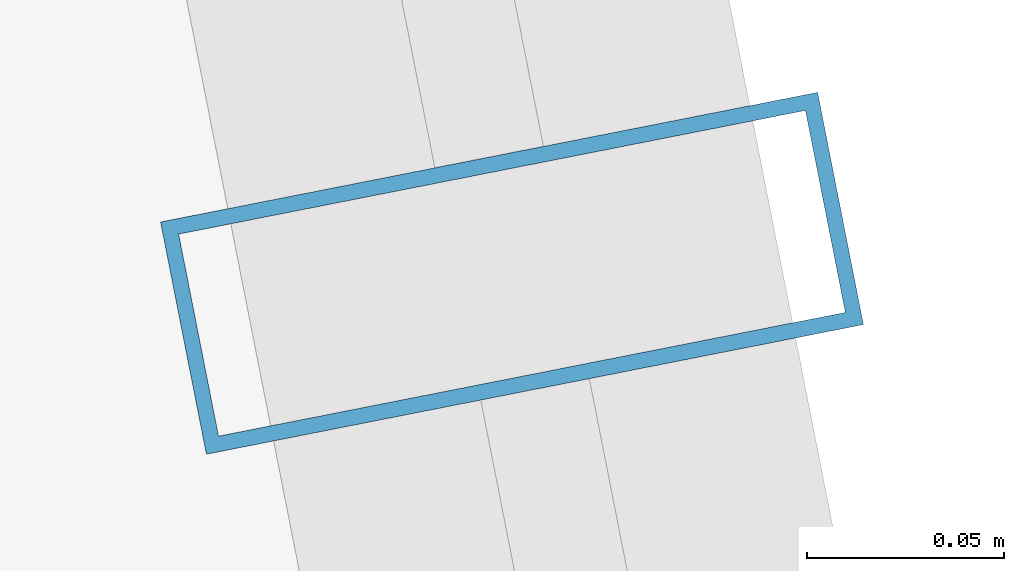
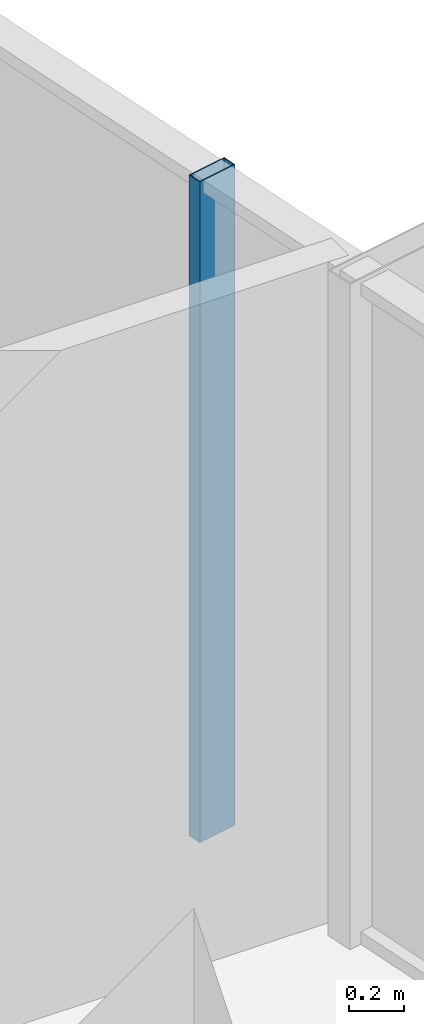
# One storey, part 20 of 36: 1 member, 1 element without a shape of its own.
"""IFC4 building model written with IfcOpenShell, lengths in metres."""

from ifc_helpers import new_model, si_unit, direction, frame, origin, origin_2d, place, context, subcontext, project, spatial, hollow_rectangle, extrude, source, transform, mapped, material, layer, layer_set, material_profile, profile_set, type_object, element, aggregate, save


model = new_model("IFC4")

# Units and contexts
model_context = context("Model", 3, precision=1e-05, world=origin(), true_north=direction((0.0, 1.0)))
body_context = subcontext(model_context, "Body", "Model", "MODEL_VIEW")
ifc_project = project(units=[si_unit("LENGTHUNIT", "METRE"), si_unit("AREAUNIT", "SQUARE_METRE"), si_unit("VOLUMEUNIT", "CUBIC_METRE"), si_unit("PLANEANGLEUNIT", "RADIAN"), si_unit("MASSUNIT", "GRAM", prefix="KILO")], contexts=[model_context])

# Site, building, storey
site_placement = place(None, origin())
site = spatial("IfcSite", under=ifc_project, at=site_placement, CompositionType="ELEMENT")
building_placement = place(site_placement, origin())
building = spatial("IfcBuilding", under=site, at=building_placement, Name="Veraguas Prism Commons", CompositionType="ELEMENT")
storey_placement = place(building_placement, frame((0.0, 0.0, 166.300048828125)))
storey = spatial("IfcBuildingStorey", under=building, at=storey_placement, Name="L47", CompositionType="ELEMENT", Elevation=166.300048828125)

# Curtain wall, member
ifc_material = material(Name="Anodised aluminium EN AW-6063 T6", Category="aluminium")
ifc_layer = layer(ifc_material, 0.169921875, Name="Unitised Flush Curtain Wall Zone 2", Category="aluminium")
ifc_layer_set = layer_set([ifc_layer], Name="Anodised aluminium EN AW-6063 T6")
curtain_wall_type = type_object("IfcCurtainWallType", Name="Unitised Flush Curtain Wall Zone 2", PredefinedType="NOTDEFINED", material=ifc_layer_set)
curtain_wall_placement = place(storey_placement, origin())
curtain_wall = element("IfcCurtainWall", 1, at=curtain_wall_placement, inside=storey, type_object=curtain_wall_type, Name="Tower Facade Curtain Wall L47-F6", PredefinedType="NOTDEFINED")
ifc_material_profile = material_profile(ifc_material, hollow_rectangle(XDim=0.06005859375, YDim=0.169921875, WallThickness=0.00390625, at=origin_2d()), Name="AL60X170X4")
ifc_profile_set = profile_set([ifc_material_profile], Name="Anodised aluminium EN AW-6063 T6")
member_type = type_object("IfcMemberType", Name="Curtain Wall Mullion Lower AL 60x170x4", PredefinedType="MULLION", material=ifc_profile_set)
shared_shape = source(origin(), body_context, "Body", "SweptSolid", [
    extrude(hollow_rectangle(XDim=0.06005859375, YDim=0.169921875, WallThickness=0.00390625, at=origin_2d()), origin(), (0.0, 0.0, 1.0), 2.929931640625),
])
member_placement = place(storey_placement, frame((41.98583984375, 31.93994140625, 0.0), z_axis=(0.0, 0.0, 1.0), x_axis=(-0.193549468051, 0.981090517443, 0.0)))
member = element("IfcMember", 2, at=member_placement, type_object=member_type, Name="CW-Z2 Mullion 4", PredefinedType="MULLION", context=body_context, shape_type="MappedRepresentation", body=[
    mapped(shared_shape, transform((0.0, 0.0, 0.0), scale=1.0)),
])
aggregate(curtain_wall, [member])

save(model, "model.ifc")
